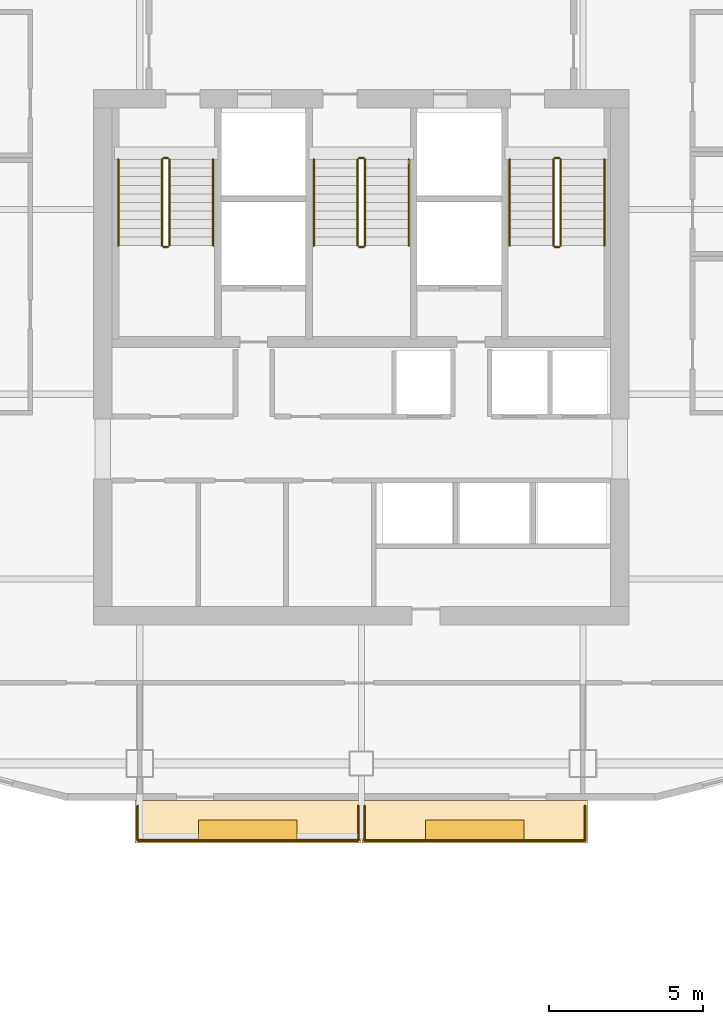
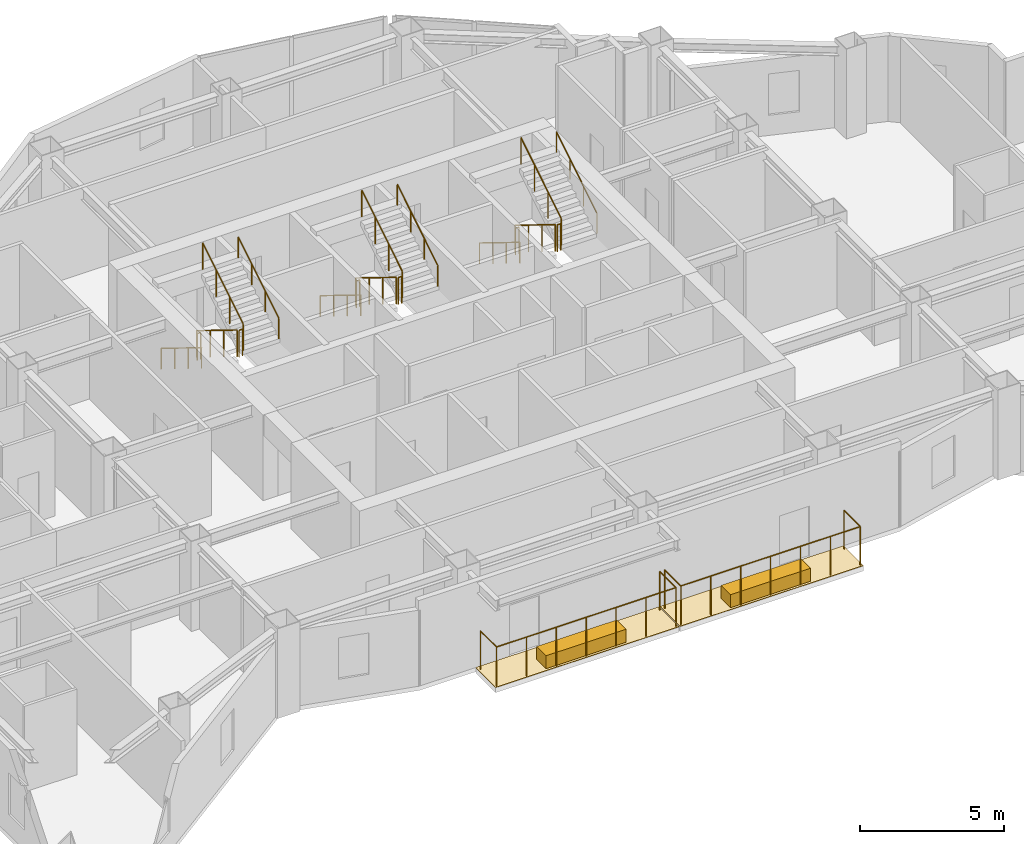
# One storey, part 10 of 10: 22 railings, 4 coverings.
"""IFC4 building model written with IfcOpenShell, lengths in metres."""

from ifc_helpers import new_model, si_unit, direction, frame, origin, origin_2d, place, context, subcontext, project, spatial, polyline, rectangle, circle, outline, extrude, material, layer, layer_set, type_object, element, save


model = new_model("IFC4")

# Units and contexts
model_context = context("Model", 3, precision=1e-05, world=origin(), true_north=direction((0.0, 1.0)))
body_context = subcontext(model_context, "Body", "Model", "MODEL_VIEW")
ifc_project = project(units=[si_unit("LENGTHUNIT", "METRE"), si_unit("AREAUNIT", "SQUARE_METRE"), si_unit("VOLUMEUNIT", "CUBIC_METRE"), si_unit("PLANEANGLEUNIT", "RADIAN"), si_unit("MASSUNIT", "GRAM", prefix="KILO")], contexts=[model_context])

# Site, building, storey
site_placement = place(None, origin())
site = spatial("IfcSite", under=ifc_project, at=site_placement, CompositionType="ELEMENT")
building_placement = place(site_placement, origin())
building = spatial("IfcBuilding", under=site, at=building_placement, Name="Haolan Belvedere Tower", CompositionType="ELEMENT")
storey_placement = place(building_placement, frame((0.0, 0.0, 180.39990234375)))
storey = spatial("IfcBuildingStorey", under=building, at=storey_placement, Name="L45", CompositionType="ELEMENT", Elevation=180.39990234375)

# Coverings
ifc_material_1 = material(Name="Engineered lightweight planted garden soil substrate", Category="masonry")
ifc_layer_1 = layer(ifc_material_1, 0.550048828125, Name="Engineered lightweight planted garden soil substrate")
ifc_layer_set_1 = layer_set([ifc_layer_1], Name="Engineered lightweight planted garden soil substrate")
covering_type_1 = type_object("IfcCoveringType", Name="COV-PLANT-550", PredefinedType="MEMBRANE", material=ifc_layer_set_1)
for number, where, z_axis, x_axis, name in (
    (1, (34.715087890625, 19.43994140625, 0.0), (0.0, 0.0, 1.0), (1.0, 0.0, 0.0), "L45 structural tree balcony PLANTER box 1"),
    (2, (42.0849609375, 19.43994140625, 0.0), (0.0, 0.0, 1.0), (1.0, 0.0, 0.0), "L45 structural tree balcony PLANTER box 2"),
):
    element("IfcCovering", number, at=place(storey_placement, frame(where, z_axis=z_axis, x_axis=x_axis)), inside=storey, type_object=covering_type_1, Name=name, PredefinedType="MEMBRANE", context=body_context, shape_type="SweptSolid", body=[
        extrude(rectangle(XDim=3.199951171875, YDim=0.64990234375, at=origin_2d()), origin(), (0.0, 0.0, 1.0), 0.550048828125),
    ])
ifc_material_2 = material(Name="Elastomeric waterproof roofing membrane and stone pavers", Category="masonry")
ifc_layer_2 = layer(ifc_material_2, 0.02001953125, Name="Elastomeric waterproof roofing membrane and stone pavers")
ifc_layer_set_2 = layer_set([ifc_layer_2], Name="Elastomeric waterproof roofing membrane and stone pavers")
covering_type_2 = type_object("IfcCoveringType", Name="COV-ROOF-20", PredefinedType="ROOFING", material=ifc_layer_set_2)
covering_1_placement = place(storey_placement, frame((0.0, 0.0, -0.02001953125)))
element("IfcCovering", 3, at=covering_1_placement, inside=storey, type_object=covering_type_2, Name="L45 tree-balcony waterproof membrane 1", PredefinedType="ROOFING", context=body_context, shape_type="SweptSolid", body=[
    extrude(outline(polyline([(31.050048828125, 19.02001953125), (38.3798828125, 19.02001953125), (38.3798828125, 20.39990234375), (31.050048828125, 20.39990234375), (31.050048828125, 19.02001953125)])), origin(), (0.0, 0.0, 1.0), 0.02001953125),
])
covering_2_placement = place(storey_placement, frame((0.0, 0.0, -0.02001953125)))
element("IfcCovering", 4, at=covering_2_placement, inside=storey, type_object=covering_type_2, Name="L45 tree-balcony waterproof membrane 2", PredefinedType="ROOFING", context=body_context, shape_type="SweptSolid", body=[
    extrude(outline(polyline([(38.419921875, 19.02001953125), (45.75, 19.02001953125), (45.75, 20.39990234375), (38.419921875, 20.39990234375), (38.419921875, 19.02001953125)])), origin(), (0.0, 0.0, 1.0), 0.02001953125),
])

# Railings
ifc_material_3 = material(Name="Brushed stainless steel 304", Category="steel")
railing_type_1 = type_object("IfcRailingType", Name="RL-STAIR-GRD-1150", PredefinedType="GUARDRAIL", material=ifc_material_3)
railing_1_placement = place(storey_placement, frame((31.919921875, 41.22998046875, 0.1728515625)))
element("IfcRailing", 5, at=railing_1_placement, inside=storey, type_object=railing_type_1, Name="L45 ST1 stair guard 1", PredefinedType="GUARDRAIL", context=body_context, shape_type="SweptSolid", body=[
    extrude(circle(Radius=0.02392578125, at=origin_2d()), frame((0.0, 0.0, 1.1259765625), z_axis=(0.0, -0.851089632645, 0.525020415988), x_axis=(1.0, 0.0, 0.0)), (0.0, 0.0, 1.0), 3.2900390625),
    extrude(circle(Radius=0.02099609375, at=origin_2d()), origin(), (0.0, 0.0, 1.0), 1.101806640625),
    extrude(circle(Radius=0.02099609375, at=origin_2d()), frame((0.0, -0.933349609375, 0.57568359375)), (0.0, 0.0, 1.0), 1.101806640625),
    extrude(circle(Radius=0.02099609375, at=origin_2d()), frame((0.0, -1.86669921875, 1.151611328125)), (0.0, 0.0, 1.0), 1.101806640625),
    extrude(circle(Radius=0.02099609375, at=origin_2d()), frame((0.0, -2.800048828125, 1.727294921875)), (0.0, 0.0, 1.0), 1.101806640625),
])
railing_2_placement = place(storey_placement, frame((31.969970703125, 38.3798828125, 1.900146484375)))
element("IfcRailing", 6, at=railing_2_placement, inside=storey, type_object=railing_type_1, Name="L45 ST1 stair guard 2", PredefinedType="GUARDRAIL", context=body_context, shape_type="SweptSolid", body=[
    extrude(circle(Radius=0.02392578125, at=origin_2d()), frame((0.0, 0.0, 1.1259765625), z_axis=(1.0, 0.0, 0.0), x_axis=(0.0, 1.0, 0.0)), (0.0, 0.0, 1.0), 0.14013671875),
    extrude(circle(Radius=0.02099609375, at=origin_2d()), origin(), (0.0, 0.0, 1.0), 1.101806640625),
    extrude(circle(Radius=0.02099609375, at=origin_2d()), frame((0.14013671875, 0.0, 0.0)), (0.0, 0.0, 1.0), 1.101806640625),
])
railing_3_placement = place(storey_placement, frame((32.159912109375, 38.429931640625, 2.07275390625)))
element("IfcRailing", 7, at=railing_3_placement, inside=storey, type_object=railing_type_1, Name="L45 ST1 stair guard 3", PredefinedType="GUARDRAIL", context=body_context, shape_type="SweptSolid", body=[
    extrude(circle(Radius=0.02392578125, at=origin_2d()), frame((0.0, 0.0, 1.1259765625), z_axis=(0.0, 0.851089632645, 0.525020415988), x_axis=(-1.0, 0.0, 0.0)), (0.0, 0.0, 1.0), 3.2900390625),
    extrude(circle(Radius=0.02099609375, at=origin_2d()), origin(), (0.0, 0.0, 1.0), 1.101806640625),
    extrude(circle(Radius=0.02099609375, at=origin_2d()), frame((0.0, 0.933349609375, 0.57568359375)), (0.0, 0.0, 1.0), 1.101806640625),
    extrude(circle(Radius=0.02099609375, at=origin_2d()), frame((0.0, 1.86669921875, 1.151611328125)), (0.0, 0.0, 1.0), 1.101806640625),
    extrude(circle(Radius=0.02099609375, at=origin_2d()), frame((0.0, 2.800048828125, 1.727294921875)), (0.0, 0.0, 1.0), 1.101806640625),
])
railing_4_placement = place(storey_placement, frame((31.969970703125, 41.280029296875, 0.0)))
element("IfcRailing", 8, at=railing_4_placement, inside=storey, type_object=railing_type_1, Name="L45 ST1 stair guard 4", PredefinedType="GUARDRAIL", context=body_context, shape_type="SweptSolid", body=[
    extrude(circle(Radius=0.02392578125, at=origin_2d()), frame((0.0, 0.0, 1.1259765625), z_axis=(1.0, 0.0, 0.0), x_axis=(0.0, 1.0, 0.0)), (0.0, 0.0, 1.0), 0.14013671875),
    extrude(circle(Radius=0.02099609375, at=origin_2d()), origin(), (0.0, 0.0, 1.0), 1.101806640625),
    extrude(circle(Radius=0.02099609375, at=origin_2d()), frame((0.14013671875, 0.0, 0.0)), (0.0, 0.0, 1.0), 1.101806640625),
])
railing_5_placement = place(storey_placement, frame((38.280029296875, 41.22998046875, 0.1728515625)))
element("IfcRailing", 9, at=railing_5_placement, inside=storey, type_object=railing_type_1, Name="L45 ST3 stair guard 1", PredefinedType="GUARDRAIL", context=body_context, shape_type="SweptSolid", body=[
    extrude(circle(Radius=0.02392578125, at=origin_2d()), frame((0.0, 0.0, 1.1259765625), z_axis=(0.0, -0.851089632645, 0.525020415988), x_axis=(1.0, 0.0, 0.0)), (0.0, 0.0, 1.0), 3.2900390625),
    extrude(circle(Radius=0.02099609375, at=origin_2d()), origin(), (0.0, 0.0, 1.0), 1.101806640625),
    extrude(circle(Radius=0.02099609375, at=origin_2d()), frame((0.0, -0.933349609375, 0.57568359375)), (0.0, 0.0, 1.0), 1.101806640625),
    extrude(circle(Radius=0.02099609375, at=origin_2d()), frame((0.0, -1.86669921875, 1.151611328125)), (0.0, 0.0, 1.0), 1.101806640625),
    extrude(circle(Radius=0.02099609375, at=origin_2d()), frame((0.0, -2.800048828125, 1.727294921875)), (0.0, 0.0, 1.0), 1.101806640625),
])
railing_6_placement = place(storey_placement, frame((38.330078125, 38.3798828125, 1.900146484375)))
element("IfcRailing", 10, at=railing_6_placement, inside=storey, type_object=railing_type_1, Name="L45 ST3 stair guard 2", PredefinedType="GUARDRAIL", context=body_context, shape_type="SweptSolid", body=[
    extrude(circle(Radius=0.02392578125, at=origin_2d()), frame((0.0, 0.0, 1.1259765625), z_axis=(1.0, 0.0, 0.0), x_axis=(0.0, 1.0, 0.0)), (0.0, 0.0, 1.0), 0.139892578125),
    extrude(circle(Radius=0.02099609375, at=origin_2d()), origin(), (0.0, 0.0, 1.0), 1.101806640625),
    extrude(circle(Radius=0.02099609375, at=origin_2d()), frame((0.139892578125, 0.0, 0.0)), (0.0, 0.0, 1.0), 1.101806640625),
])
railing_7_placement = place(storey_placement, frame((38.52001953125, 38.429931640625, 2.07275390625)))
element("IfcRailing", 11, at=railing_7_placement, inside=storey, type_object=railing_type_1, Name="L45 ST3 stair guard 3", PredefinedType="GUARDRAIL", context=body_context, shape_type="SweptSolid", body=[
    extrude(circle(Radius=0.02392578125, at=origin_2d()), frame((0.0, 0.0, 1.1259765625), z_axis=(0.0, 0.851089632645, 0.525020415988), x_axis=(-1.0, 0.0, 0.0)), (0.0, 0.0, 1.0), 3.2900390625),
    extrude(circle(Radius=0.02099609375, at=origin_2d()), origin(), (0.0, 0.0, 1.0), 1.101806640625),
    extrude(circle(Radius=0.02099609375, at=origin_2d()), frame((0.0, 0.933349609375, 0.57568359375)), (0.0, 0.0, 1.0), 1.101806640625),
    extrude(circle(Radius=0.02099609375, at=origin_2d()), frame((0.0, 1.86669921875, 1.151611328125)), (0.0, 0.0, 1.0), 1.101806640625),
    extrude(circle(Radius=0.02099609375, at=origin_2d()), frame((0.0, 2.800048828125, 1.727294921875)), (0.0, 0.0, 1.0), 1.101806640625),
])
railing_8_placement = place(storey_placement, frame((38.330078125, 41.280029296875, 0.0)))
element("IfcRailing", 12, at=railing_8_placement, inside=storey, type_object=railing_type_1, Name="L45 ST3 stair guard 4", PredefinedType="GUARDRAIL", context=body_context, shape_type="SweptSolid", body=[
    extrude(circle(Radius=0.02392578125, at=origin_2d()), frame((0.0, 0.0, 1.1259765625), z_axis=(1.0, 0.0, 0.0), x_axis=(0.0, 1.0, 0.0)), (0.0, 0.0, 1.0), 0.139892578125),
    extrude(circle(Radius=0.02099609375, at=origin_2d()), origin(), (0.0, 0.0, 1.0), 1.101806640625),
    extrude(circle(Radius=0.02099609375, at=origin_2d()), frame((0.139892578125, 0.0, 0.0)), (0.0, 0.0, 1.0), 1.101806640625),
])
railing_9_placement = place(storey_placement, frame((44.639892578125, 41.22998046875, 0.1728515625)))
element("IfcRailing", 13, at=railing_9_placement, inside=storey, type_object=railing_type_1, Name="L45 ST2 stair guard 1", PredefinedType="GUARDRAIL", context=body_context, shape_type="SweptSolid", body=[
    extrude(circle(Radius=0.02392578125, at=origin_2d()), frame((0.0, 0.0, 1.1259765625), z_axis=(0.0, -0.851089632645, 0.525020415988), x_axis=(1.0, 0.0, 0.0)), (0.0, 0.0, 1.0), 3.2900390625),
    extrude(circle(Radius=0.02099609375, at=origin_2d()), origin(), (0.0, 0.0, 1.0), 1.101806640625),
    extrude(circle(Radius=0.02099609375, at=origin_2d()), frame((0.0, -0.933349609375, 0.57568359375)), (0.0, 0.0, 1.0), 1.101806640625),
    extrude(circle(Radius=0.02099609375, at=origin_2d()), frame((0.0, -1.86669921875, 1.151611328125)), (0.0, 0.0, 1.0), 1.101806640625),
    extrude(circle(Radius=0.02099609375, at=origin_2d()), frame((0.0, -2.800048828125, 1.727294921875)), (0.0, 0.0, 1.0), 1.101806640625),
])
railing_10_placement = place(storey_placement, frame((44.68994140625, 38.3798828125, 1.900146484375)))
element("IfcRailing", 14, at=railing_10_placement, inside=storey, type_object=railing_type_1, Name="L45 ST2 stair guard 2", PredefinedType="GUARDRAIL", context=body_context, shape_type="SweptSolid", body=[
    extrude(circle(Radius=0.02392578125, at=origin_2d()), frame((0.0, 0.0, 1.1259765625), z_axis=(1.0, 0.0, 0.0), x_axis=(0.0, 1.0, 0.0)), (0.0, 0.0, 1.0), 0.14013671875),
    extrude(circle(Radius=0.02099609375, at=origin_2d()), origin(), (0.0, 0.0, 1.0), 1.101806640625),
    extrude(circle(Radius=0.02099609375, at=origin_2d()), frame((0.14013671875, 0.0, 0.0)), (0.0, 0.0, 1.0), 1.101806640625),
])
railing_11_placement = place(storey_placement, frame((44.8798828125, 38.429931640625, 2.07275390625)))
element("IfcRailing", 15, at=railing_11_placement, inside=storey, type_object=railing_type_1, Name="L45 ST2 stair guard 3", PredefinedType="GUARDRAIL", context=body_context, shape_type="SweptSolid", body=[
    extrude(circle(Radius=0.02392578125, at=origin_2d()), frame((0.0, 0.0, 1.1259765625), z_axis=(0.0, 0.851089632645, 0.525020415988), x_axis=(-1.0, 0.0, 0.0)), (0.0, 0.0, 1.0), 3.2900390625),
    extrude(circle(Radius=0.02099609375, at=origin_2d()), origin(), (0.0, 0.0, 1.0), 1.101806640625),
    extrude(circle(Radius=0.02099609375, at=origin_2d()), frame((0.0, 0.933349609375, 0.57568359375)), (0.0, 0.0, 1.0), 1.101806640625),
    extrude(circle(Radius=0.02099609375, at=origin_2d()), frame((0.0, 1.86669921875, 1.151611328125)), (0.0, 0.0, 1.0), 1.101806640625),
    extrude(circle(Radius=0.02099609375, at=origin_2d()), frame((0.0, 2.800048828125, 1.727294921875)), (0.0, 0.0, 1.0), 1.101806640625),
])
railing_12_placement = place(storey_placement, frame((44.68994140625, 41.280029296875, 0.0)))
element("IfcRailing", 16, at=railing_12_placement, inside=storey, type_object=railing_type_1, Name="L45 ST2 stair guard 4", PredefinedType="GUARDRAIL", context=body_context, shape_type="SweptSolid", body=[
    extrude(circle(Radius=0.02392578125, at=origin_2d()), frame((0.0, 0.0, 1.1259765625), z_axis=(1.0, 0.0, 0.0), x_axis=(0.0, 1.0, 0.0)), (0.0, 0.0, 1.0), 0.14013671875),
    extrude(circle(Radius=0.02099609375, at=origin_2d()), origin(), (0.0, 0.0, 1.0), 1.101806640625),
    extrude(circle(Radius=0.02099609375, at=origin_2d()), frame((0.14013671875, 0.0, 0.0)), (0.0, 0.0, 1.0), 1.101806640625),
])
railing_type_2 = type_object("IfcRailingType", Name="RL-STAIR-HND-900", PredefinedType="HANDRAIL", material=ifc_material_3)
railing_13_placement = place(storey_placement, frame((30.5, 41.22998046875, 0.1728515625)))
element("IfcRailing", 17, at=railing_13_placement, inside=storey, type_object=railing_type_2, Name="L45 ST1 stair handrail 1", PredefinedType="HANDRAIL", context=body_context, shape_type="SweptSolid", body=[
    extrude(circle(Radius=0.02392578125, at=origin_2d()), frame((0.0, 0.0, 0.8759765625), z_axis=(0.0, -0.851089632645, 0.525020415988), x_axis=(1.0, 0.0, 0.0)), (0.0, 0.0, 1.0), 3.2900390625),
    extrude(circle(Radius=0.02099609375, at=origin_2d()), origin(), (0.0, 0.0, 1.0), 0.851806640625),
    extrude(circle(Radius=0.02099609375, at=origin_2d()), frame((0.0, -0.933349609375, 0.57568359375)), (0.0, 0.0, 1.0), 0.851806640625),
    extrude(circle(Radius=0.02099609375, at=origin_2d()), frame((0.0, -1.86669921875, 1.151611328125)), (0.0, 0.0, 1.0), 0.851806640625),
    extrude(circle(Radius=0.02099609375, at=origin_2d()), frame((0.0, -2.800048828125, 1.727294921875)), (0.0, 0.0, 1.0), 0.851806640625),
])
railing_14_placement = place(storey_placement, frame((33.580078125, 38.429931640625, 2.07275390625)))
element("IfcRailing", 18, at=railing_14_placement, inside=storey, type_object=railing_type_2, Name="L45 ST1 stair handrail 2", PredefinedType="HANDRAIL", context=body_context, shape_type="SweptSolid", body=[
    extrude(circle(Radius=0.02392578125, at=origin_2d()), frame((0.0, 0.0, 0.8759765625), z_axis=(0.0, 0.851089632645, 0.525020415988), x_axis=(-1.0, 0.0, 0.0)), (0.0, 0.0, 1.0), 3.2900390625),
    extrude(circle(Radius=0.02099609375, at=origin_2d()), origin(), (0.0, 0.0, 1.0), 0.851806640625),
    extrude(circle(Radius=0.02099609375, at=origin_2d()), frame((0.0, 0.933349609375, 0.57568359375)), (0.0, 0.0, 1.0), 0.851806640625),
    extrude(circle(Radius=0.02099609375, at=origin_2d()), frame((0.0, 1.86669921875, 1.151611328125)), (0.0, 0.0, 1.0), 0.851806640625),
    extrude(circle(Radius=0.02099609375, at=origin_2d()), frame((0.0, 2.800048828125, 1.727294921875)), (0.0, 0.0, 1.0), 0.851806640625),
])
railing_15_placement = place(storey_placement, frame((36.860107421875, 41.22998046875, 0.1728515625)))
element("IfcRailing", 19, at=railing_15_placement, inside=storey, type_object=railing_type_2, Name="L45 ST3 stair handrail 1", PredefinedType="HANDRAIL", context=body_context, shape_type="SweptSolid", body=[
    extrude(circle(Radius=0.02392578125, at=origin_2d()), frame((0.0, 0.0, 0.8759765625), z_axis=(0.0, -0.851089632645, 0.525020415988), x_axis=(1.0, 0.0, 0.0)), (0.0, 0.0, 1.0), 3.2900390625),
    extrude(circle(Radius=0.02099609375, at=origin_2d()), origin(), (0.0, 0.0, 1.0), 0.851806640625),
    extrude(circle(Radius=0.02099609375, at=origin_2d()), frame((0.0, -0.933349609375, 0.57568359375)), (0.0, 0.0, 1.0), 0.851806640625),
    extrude(circle(Radius=0.02099609375, at=origin_2d()), frame((0.0, -1.86669921875, 1.151611328125)), (0.0, 0.0, 1.0), 0.851806640625),
    extrude(circle(Radius=0.02099609375, at=origin_2d()), frame((0.0, -2.800048828125, 1.727294921875)), (0.0, 0.0, 1.0), 0.851806640625),
])
railing_16_placement = place(storey_placement, frame((39.93994140625, 38.429931640625, 2.07275390625)))
element("IfcRailing", 20, at=railing_16_placement, inside=storey, type_object=railing_type_2, Name="L45 ST3 stair handrail 2", PredefinedType="HANDRAIL", context=body_context, shape_type="SweptSolid", body=[
    extrude(circle(Radius=0.02392578125, at=origin_2d()), frame((0.0, 0.0, 0.8759765625), z_axis=(0.0, 0.851089632645, 0.525020415988), x_axis=(-1.0, 0.0, 0.0)), (0.0, 0.0, 1.0), 3.2900390625),
    extrude(circle(Radius=0.02099609375, at=origin_2d()), origin(), (0.0, 0.0, 1.0), 0.851806640625),
    extrude(circle(Radius=0.02099609375, at=origin_2d()), frame((0.0, 0.933349609375, 0.57568359375)), (0.0, 0.0, 1.0), 0.851806640625),
    extrude(circle(Radius=0.02099609375, at=origin_2d()), frame((0.0, 1.86669921875, 1.151611328125)), (0.0, 0.0, 1.0), 0.851806640625),
    extrude(circle(Radius=0.02099609375, at=origin_2d()), frame((0.0, 2.800048828125, 1.727294921875)), (0.0, 0.0, 1.0), 0.851806640625),
])
railing_17_placement = place(storey_placement, frame((43.219970703125, 41.22998046875, 0.1728515625)))
element("IfcRailing", 21, at=railing_17_placement, inside=storey, type_object=railing_type_2, Name="L45 ST2 stair handrail 1", PredefinedType="HANDRAIL", context=body_context, shape_type="SweptSolid", body=[
    extrude(circle(Radius=0.02392578125, at=origin_2d()), frame((0.0, 0.0, 0.8759765625), z_axis=(0.0, -0.851089632645, 0.525020415988), x_axis=(1.0, 0.0, 0.0)), (0.0, 0.0, 1.0), 3.2900390625),
    extrude(circle(Radius=0.02099609375, at=origin_2d()), origin(), (0.0, 0.0, 1.0), 0.851806640625),
    extrude(circle(Radius=0.02099609375, at=origin_2d()), frame((0.0, -0.933349609375, 0.57568359375)), (0.0, 0.0, 1.0), 0.851806640625),
    extrude(circle(Radius=0.02099609375, at=origin_2d()), frame((0.0, -1.86669921875, 1.151611328125)), (0.0, 0.0, 1.0), 0.851806640625),
    extrude(circle(Radius=0.02099609375, at=origin_2d()), frame((0.0, -2.800048828125, 1.727294921875)), (0.0, 0.0, 1.0), 0.851806640625),
])
railing_18_placement = place(storey_placement, frame((46.300048828125, 38.429931640625, 2.07275390625)))
element("IfcRailing", 22, at=railing_18_placement, inside=storey, type_object=railing_type_2, Name="L45 ST2 stair handrail 2", PredefinedType="HANDRAIL", context=body_context, shape_type="SweptSolid", body=[
    extrude(circle(Radius=0.02392578125, at=origin_2d()), frame((0.0, 0.0, 0.8759765625), z_axis=(0.0, 0.851089632645, 0.525020415988), x_axis=(-1.0, 0.0, 0.0)), (0.0, 0.0, 1.0), 3.2900390625),
    extrude(circle(Radius=0.02099609375, at=origin_2d()), origin(), (0.0, 0.0, 1.0), 0.851806640625),
    extrude(circle(Radius=0.02099609375, at=origin_2d()), frame((0.0, 0.933349609375, 0.57568359375)), (0.0, 0.0, 1.0), 0.851806640625),
    extrude(circle(Radius=0.02099609375, at=origin_2d()), frame((0.0, 1.86669921875, 1.151611328125)), (0.0, 0.0, 1.0), 0.851806640625),
    extrude(circle(Radius=0.02099609375, at=origin_2d()), frame((0.0, 2.800048828125, 1.727294921875)), (0.0, 0.0, 1.0), 0.851806640625),
])
ifc_material_4 = material(Name="Anodised aluminium and laminated glass balustrade", Category="aluminium")
railing_type_3 = type_object("IfcRailingType", Name="RL-TER-BAL-1150", PredefinedType="BALUSTRADE", material=ifc_material_4)
railing_19_placement = place(storey_placement, frame((31.1298828125, 19.10009765625, 0.0)))
element("IfcRailing", 23, at=railing_19_placement, inside=storey, type_object=railing_type_3, Name="L45 outdoor perimeter balustrade BAL-L45-1-1", PredefinedType="BALUSTRADE", context=body_context, shape_type="SweptSolid", body=[
    extrude(circle(Radius=0.02392578125, at=origin_2d()), frame((0.0, 0.0, 1.6259765625), z_axis=(0.0, 1.0, 0.0), x_axis=(-1.0, 0.0, 0.0)), (0.0, 0.0, 1.0), 1.119873046875),
    extrude(circle(Radius=0.02099609375, at=origin_2d()), origin(), (0.0, 0.0, 1.0), 1.601806640625),
    extrude(circle(Radius=0.02099609375, at=origin_2d()), frame((0.0, 1.119873046875, 0.0)), (0.0, 0.0, 1.0), 1.601806640625),
])
railing_20_placement = place(storey_placement, frame((38.300048828125, 20.219970703125, 0.0)))
element("IfcRailing", 24, at=railing_20_placement, inside=storey, type_object=railing_type_3, Name="L45 outdoor perimeter balustrade BAL-L45-1-2", PredefinedType="BALUSTRADE", context=body_context, shape_type="SweptSolid", body=[
    extrude(circle(Radius=0.02392578125, at=origin_2d()), frame((0.0, 0.0, 1.6259765625), z_axis=(0.0, -1.0, 0.0), x_axis=(1.0, 0.0, 0.0)), (0.0, 0.0, 1.0), 1.119873046875),
    extrude(circle(Radius=0.02392578125, at=origin_2d()), frame((0.0, -1.119873046875, 1.6259765625), z_axis=(-1.0, 0.0, 0.0), x_axis=(0.0, -1.0, 0.0)), (0.0, 0.0, 1.0), 7.170166015625),
    extrude(circle(Radius=0.02099609375, at=origin_2d()), origin(), (0.0, 0.0, 1.0), 1.601806640625),
    extrude(circle(Radius=0.02099609375, at=origin_2d()), frame((0.0, -1.119873046875, 0.0)), (0.0, 0.0, 1.0), 1.601806640625),
    extrude(circle(Radius=0.02099609375, at=origin_2d()), frame((-1.195068359375, -1.119873046875, 0.0)), (0.0, 0.0, 1.0), 1.601806640625),
    extrude(circle(Radius=0.02099609375, at=origin_2d()), frame((-2.39013671875, -1.119873046875, 0.0)), (0.0, 0.0, 1.0), 1.601806640625),
    extrude(circle(Radius=0.02099609375, at=origin_2d()), frame((-3.5849609375, -1.119873046875, 0.0)), (0.0, 0.0, 1.0), 1.601806640625),
    extrude(circle(Radius=0.02099609375, at=origin_2d()), frame((-4.780029296875, -1.119873046875, 0.0)), (0.0, 0.0, 1.0), 1.601806640625),
    extrude(circle(Radius=0.02099609375, at=origin_2d()), frame((-5.97509765625, -1.119873046875, 0.0)), (0.0, 0.0, 1.0), 1.601806640625),
    extrude(circle(Radius=0.02099609375, at=origin_2d()), frame((-7.170166015625, -1.119873046875, 0.0)), (0.0, 0.0, 1.0), 1.601806640625),
])
railing_21_placement = place(storey_placement, frame((38.5, 19.10009765625, 0.0)))
element("IfcRailing", 25, at=railing_21_placement, inside=storey, type_object=railing_type_3, Name="L45 outdoor perimeter balustrade BAL-L45-2-1", PredefinedType="BALUSTRADE", context=body_context, shape_type="SweptSolid", body=[
    extrude(circle(Radius=0.02392578125, at=origin_2d()), frame((0.0, 0.0, 1.6259765625), z_axis=(0.0, 1.0, 0.0), x_axis=(-1.0, 0.0, 0.0)), (0.0, 0.0, 1.0), 1.119873046875),
    extrude(circle(Radius=0.02099609375, at=origin_2d()), origin(), (0.0, 0.0, 1.0), 1.601806640625),
    extrude(circle(Radius=0.02099609375, at=origin_2d()), frame((0.0, 1.119873046875, 0.0)), (0.0, 0.0, 1.0), 1.601806640625),
])
railing_22_placement = place(storey_placement, frame((45.669921875, 20.219970703125, 0.0)))
element("IfcRailing", 26, at=railing_22_placement, inside=storey, type_object=railing_type_3, Name="L45 outdoor perimeter balustrade BAL-L45-2-2", PredefinedType="BALUSTRADE", context=body_context, shape_type="SweptSolid", body=[
    extrude(circle(Radius=0.02392578125, at=origin_2d()), frame((0.0, 0.0, 1.6259765625), z_axis=(0.0, -1.0, 0.0), x_axis=(1.0, 0.0, 0.0)), (0.0, 0.0, 1.0), 1.119873046875),
    extrude(circle(Radius=0.02392578125, at=origin_2d()), frame((0.0, -1.119873046875, 1.6259765625), z_axis=(-1.0, 0.0, 0.0), x_axis=(0.0, -1.0, 0.0)), (0.0, 0.0, 1.0), 7.169921875),
    extrude(circle(Radius=0.02099609375, at=origin_2d()), origin(), (0.0, 0.0, 1.0), 1.601806640625),
    extrude(circle(Radius=0.02099609375, at=origin_2d()), frame((0.0, -1.119873046875, 0.0)), (0.0, 0.0, 1.0), 1.601806640625),
    extrude(circle(Radius=0.02099609375, at=origin_2d()), frame((-1.195068359375, -1.119873046875, 0.0)), (0.0, 0.0, 1.0), 1.601806640625),
    extrude(circle(Radius=0.02099609375, at=origin_2d()), frame((-2.389892578125, -1.119873046875, 0.0)), (0.0, 0.0, 1.0), 1.601806640625),
    extrude(circle(Radius=0.02099609375, at=origin_2d()), frame((-3.5849609375, -1.119873046875, 0.0)), (0.0, 0.0, 1.0), 1.601806640625),
    extrude(circle(Radius=0.02099609375, at=origin_2d()), frame((-4.780029296875, -1.119873046875, 0.0)), (0.0, 0.0, 1.0), 1.601806640625),
    extrude(circle(Radius=0.02099609375, at=origin_2d()), frame((-5.974853515625, -1.119873046875, 0.0)), (0.0, 0.0, 1.0), 1.601806640625),
    extrude(circle(Radius=0.02099609375, at=origin_2d()), frame((-7.169921875, -1.119873046875, 0.0)), (0.0, 0.0, 1.0), 1.601806640625),
])

save(model, "model.ifc")
